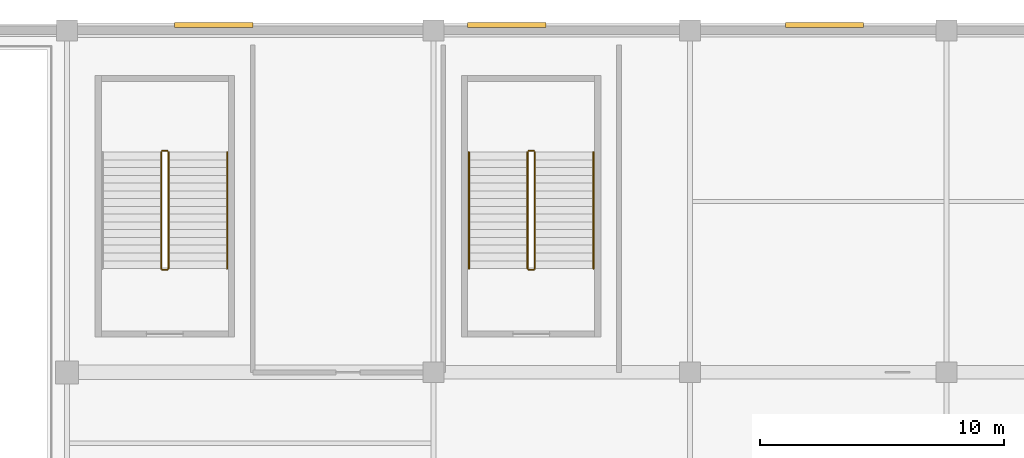
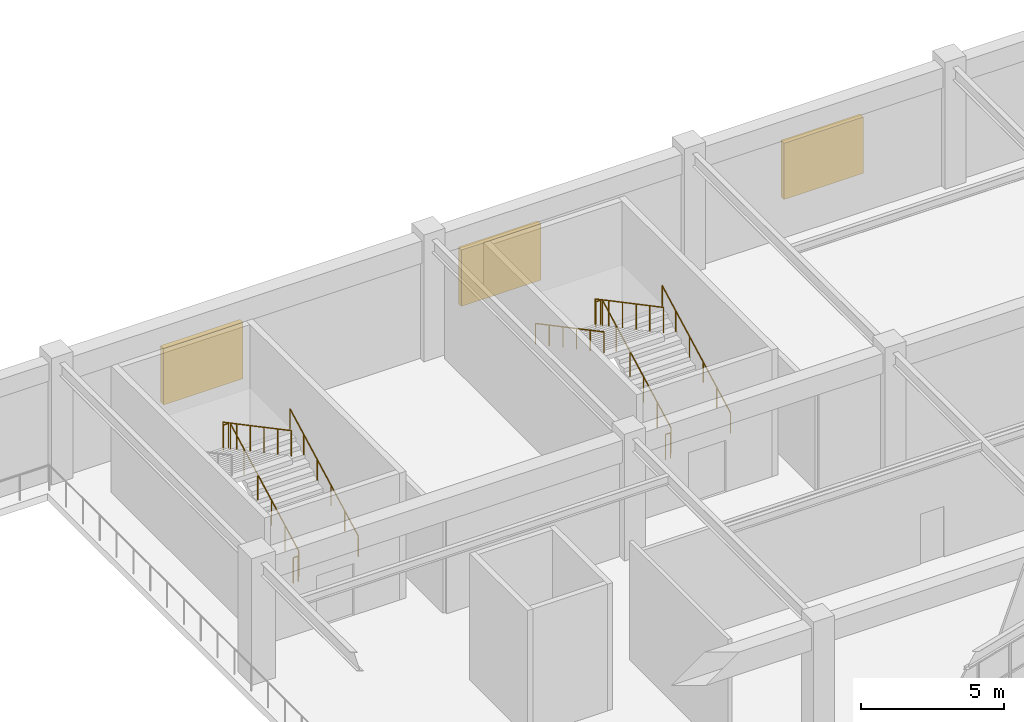
# One storey, part 118 of 120: 11 railings, 3 shading devices.
"""IFC4 building model written with IfcOpenShell, lengths in metres."""

from ifc_helpers import new_model, si_unit, direction, frame, origin, origin_2d, place, context, subcontext, project, spatial, rectangle, circle, extrude, material, type_object, element, save


model = new_model("IFC4")

# Units and contexts
model_context = context("Model", 3, precision=1e-05, world=origin(), true_north=direction((0.0, 1.0)))
body_context = subcontext(model_context, "Body", "Model", "MODEL_VIEW")
ifc_project = project(units=[si_unit("LENGTHUNIT", "METRE"), si_unit("AREAUNIT", "SQUARE_METRE"), si_unit("VOLUMEUNIT", "CUBIC_METRE"), si_unit("PLANEANGLEUNIT", "RADIAN"), si_unit("MASSUNIT", "GRAM", prefix="KILO")], contexts=[model_context])

# Site, building, storey
site_placement = place(None, origin())
site = spatial("IfcSite", under=ifc_project, at=site_placement, CompositionType="ELEMENT")
building_placement = place(site_placement, origin())
building = spatial("IfcBuilding", under=site, at=building_placement, Name="Cuetzalor Civic Arena", CompositionType="ELEMENT")
storey_placement = place(building_placement, frame((0.0, 0.0, 6.0)))
storey = spatial("IfcBuildingStorey", under=building, at=storey_placement, Name="L01", CompositionType="ELEMENT", Elevation=6.0)

# Shading devices
ifc_material_1 = material(Name="Charcoal acoustic anodised aluminium louvre", Category="aluminium")
shading_device_type = type_object("IfcShadingDeviceType", Name="AcousticPlantLouvre_Jalousie", PredefinedType="JALOUSIE", material=ifc_material_1)
for number, where, z_axis, x_axis, name in (
    (1, (-30.0, 75.719970703125, 1.400146484375), (0.0, 0.0, 1.0), (1.0, 0.0, 0.0), "Acoustic Plant Intake Louvre L01-01"),
    (2, (-18.0, 75.719970703125, 1.400146484375), (0.0, 0.0, 1.0), (1.0, 0.0, 0.0), "Acoustic Plant Intake Louvre L01-02"),
    (3, (-5.0, 75.719970703125, 1.400146484375), (0.0, 0.0, 1.0), (1.0, 0.0, 0.0), "Acoustic Plant Intake Louvre L01-03"),
):
    element("IfcShadingDevice", number, at=place(storey_placement, frame(where, z_axis=z_axis, x_axis=x_axis)), inside=storey, type_object=shading_device_type, Name=name, PredefinedType="JALOUSIE", context=body_context, shape_type="SweptSolid", body=[
        extrude(rectangle(XDim=3.199951171875, YDim=0.219970703125, at=origin_2d()), origin(), (0.0, 0.0, 1.0), 2.39990234375),
    ])

# Railings
ifc_material_2 = material(Name="Reseda-green architectural Steel S355 balustrade", Category="steel")
railing_type_1 = type_object("IfcRailingType", Name="InteriorVoidBalustrade_1100", PredefinedType="BALUSTRADE", material=ifc_material_2)
railing_1_placement = place(storey_placement, frame((-31.85009765625, 65.75, 0.168701171875)))
element("IfcRailing", 4, at=railing_1_placement, inside=storey, type_object=railing_type_1, Name="L01 ST-24 stair guard 1", PredefinedType="BALUSTRADE", context=body_context, shape_type="SweptSolid", body=[
    extrude(circle(Radius=0.02392578125, at=origin_2d()), frame((0.0, 0.0, 1.0810546875), z_axis=(0.0, 0.883332211103, 0.468747485143), x_axis=(-1.0, 0.0, 0.0)), (0.0, 0.0, 1.0), 5.400146484375),
    extrude(circle(Radius=0.02099609375, at=origin_2d()), origin(), (0.0, 0.0, 1.0), 1.056884765625),
    extrude(circle(Radius=0.02099609375, at=origin_2d()), frame((0.0, 0.9541015625, 0.50634765625)), (0.0, 0.0, 1.0), 1.056884765625),
    extrude(circle(Radius=0.02099609375, at=origin_2d()), frame((0.0, 1.907958984375, 1.012451171875)), (0.0, 0.0, 1.0), 1.056884765625),
    extrude(circle(Radius=0.02099609375, at=origin_2d()), frame((0.0, 2.862060546875, 1.518798828125)), (0.0, 0.0, 1.0), 1.056884765625),
    extrude(circle(Radius=0.02099609375, at=origin_2d()), frame((0.0, 3.81591796875, 2.02490234375)), (0.0, 0.0, 1.0), 1.056884765625),
    extrude(circle(Radius=0.02099609375, at=origin_2d()), frame((0.0, 4.77001953125, 2.53125)), (0.0, 0.0, 1.0), 1.056884765625),
])
railing_2_placement = place(storey_placement, frame((-31.89990234375, 70.570068359375, 2.699951171875)))
element("IfcRailing", 5, at=railing_2_placement, inside=storey, type_object=railing_type_1, Name="L01 ST-24 stair guard 2", PredefinedType="BALUSTRADE", context=body_context, shape_type="SweptSolid", body=[
    extrude(circle(Radius=0.02392578125, at=origin_2d()), frame((0.0, 0.0, 1.0810546875), z_axis=(-1.0, 0.0, 0.0), x_axis=(0.0, -1.0, 0.0)), (0.0, 0.0, 1.0), 0.2001953125),
    extrude(circle(Radius=0.02099609375, at=origin_2d()), origin(), (0.0, 0.0, 1.0), 1.056884765625),
    extrude(circle(Radius=0.02099609375, at=origin_2d()), frame((-0.2001953125, 0.0, 0.0)), (0.0, 0.0, 1.0), 1.056884765625),
])
railing_3_placement = place(storey_placement, frame((-32.14990234375, 70.52001953125, 2.86865234375)))
element("IfcRailing", 6, at=railing_3_placement, inside=storey, type_object=railing_type_1, Name="L01 ST-24 stair guard 3", PredefinedType="BALUSTRADE", context=body_context, shape_type="SweptSolid", body=[
    extrude(circle(Radius=0.02392578125, at=origin_2d()), frame((0.0, 0.0, 1.0810546875), z_axis=(0.0, -0.883332211103, 0.468747485143), x_axis=(1.0, 0.0, 0.0)), (0.0, 0.0, 1.0), 5.400146484375),
    extrude(circle(Radius=0.02099609375, at=origin_2d()), origin(), (0.0, 0.0, 1.0), 1.056884765625),
    extrude(circle(Radius=0.02099609375, at=origin_2d()), frame((0.0, -0.9541015625, 0.50634765625)), (0.0, 0.0, 1.0), 1.056884765625),
    extrude(circle(Radius=0.02099609375, at=origin_2d()), frame((0.0, -1.907958984375, 1.012451171875)), (0.0, 0.0, 1.0), 1.056884765625),
    extrude(circle(Radius=0.02099609375, at=origin_2d()), frame((0.0, -2.862060546875, 1.518798828125)), (0.0, 0.0, 1.0), 1.056884765625),
    extrude(circle(Radius=0.02099609375, at=origin_2d()), frame((0.0, -3.81591796875, 2.02490234375)), (0.0, 0.0, 1.0), 1.056884765625),
    extrude(circle(Radius=0.02099609375, at=origin_2d()), frame((0.0, -4.77001953125, 2.53125)), (0.0, 0.0, 1.0), 1.056884765625),
])
railing_4_placement = place(storey_placement, frame((-31.89990234375, 65.699951171875, 0.0)))
element("IfcRailing", 7, at=railing_4_placement, inside=storey, type_object=railing_type_1, Name="L01 ST-24 stair guard 4", PredefinedType="BALUSTRADE", context=body_context, shape_type="SweptSolid", body=[
    extrude(circle(Radius=0.02392578125, at=origin_2d()), frame((0.0, 0.0, 1.0810546875), z_axis=(-1.0, 0.0, 0.0), x_axis=(0.0, -1.0, 0.0)), (0.0, 0.0, 1.0), 0.2001953125),
    extrude(circle(Radius=0.02099609375, at=origin_2d()), origin(), (0.0, 0.0, 1.0), 1.056884765625),
    extrude(circle(Radius=0.02099609375, at=origin_2d()), frame((-0.2001953125, 0.0, 0.0)), (0.0, 0.0, 1.0), 1.056884765625),
])
railing_5_placement = place(storey_placement, frame((-16.85009765625, 65.75, 0.168701171875)))
element("IfcRailing", 8, at=railing_5_placement, inside=storey, type_object=railing_type_1, Name="L01 ST-25 stair guard 1", PredefinedType="BALUSTRADE", context=body_context, shape_type="SweptSolid", body=[
    extrude(circle(Radius=0.02392578125, at=origin_2d()), frame((0.0, 0.0, 1.0810546875), z_axis=(0.0, 0.883332211103, 0.468747485143), x_axis=(-1.0, 0.0, 0.0)), (0.0, 0.0, 1.0), 5.400146484375),
    extrude(circle(Radius=0.02099609375, at=origin_2d()), origin(), (0.0, 0.0, 1.0), 1.056884765625),
    extrude(circle(Radius=0.02099609375, at=origin_2d()), frame((0.0, 0.9541015625, 0.50634765625)), (0.0, 0.0, 1.0), 1.056884765625),
    extrude(circle(Radius=0.02099609375, at=origin_2d()), frame((0.0, 1.907958984375, 1.012451171875)), (0.0, 0.0, 1.0), 1.056884765625),
    extrude(circle(Radius=0.02099609375, at=origin_2d()), frame((0.0, 2.862060546875, 1.518798828125)), (0.0, 0.0, 1.0), 1.056884765625),
    extrude(circle(Radius=0.02099609375, at=origin_2d()), frame((0.0, 3.81591796875, 2.02490234375)), (0.0, 0.0, 1.0), 1.056884765625),
    extrude(circle(Radius=0.02099609375, at=origin_2d()), frame((0.0, 4.77001953125, 2.53125)), (0.0, 0.0, 1.0), 1.056884765625),
])
railing_6_placement = place(storey_placement, frame((-16.89990234375, 70.570068359375, 2.699951171875)))
element("IfcRailing", 9, at=railing_6_placement, inside=storey, type_object=railing_type_1, Name="L01 ST-25 stair guard 2", PredefinedType="BALUSTRADE", context=body_context, shape_type="SweptSolid", body=[
    extrude(circle(Radius=0.02392578125, at=origin_2d()), frame((0.0, 0.0, 1.0810546875), z_axis=(-1.0, 0.0, 0.0), x_axis=(0.0, -1.0, 0.0)), (0.0, 0.0, 1.0), 0.2001953125),
    extrude(circle(Radius=0.02099609375, at=origin_2d()), origin(), (0.0, 0.0, 1.0), 1.056884765625),
    extrude(circle(Radius=0.02099609375, at=origin_2d()), frame((-0.2001953125, 0.0, 0.0)), (0.0, 0.0, 1.0), 1.056884765625),
])
railing_7_placement = place(storey_placement, frame((-17.14990234375, 70.52001953125, 2.86865234375)))
element("IfcRailing", 10, at=railing_7_placement, inside=storey, type_object=railing_type_1, Name="L01 ST-25 stair guard 3", PredefinedType="BALUSTRADE", context=body_context, shape_type="SweptSolid", body=[
    extrude(circle(Radius=0.02392578125, at=origin_2d()), frame((0.0, 0.0, 1.0810546875), z_axis=(0.0, -0.883332211103, 0.468747485143), x_axis=(1.0, 0.0, 0.0)), (0.0, 0.0, 1.0), 5.400146484375),
    extrude(circle(Radius=0.02099609375, at=origin_2d()), origin(), (0.0, 0.0, 1.0), 1.056884765625),
    extrude(circle(Radius=0.02099609375, at=origin_2d()), frame((0.0, -0.9541015625, 0.50634765625)), (0.0, 0.0, 1.0), 1.056884765625),
    extrude(circle(Radius=0.02099609375, at=origin_2d()), frame((0.0, -1.907958984375, 1.012451171875)), (0.0, 0.0, 1.0), 1.056884765625),
    extrude(circle(Radius=0.02099609375, at=origin_2d()), frame((0.0, -2.862060546875, 1.518798828125)), (0.0, 0.0, 1.0), 1.056884765625),
    extrude(circle(Radius=0.02099609375, at=origin_2d()), frame((0.0, -3.81591796875, 2.02490234375)), (0.0, 0.0, 1.0), 1.056884765625),
    extrude(circle(Radius=0.02099609375, at=origin_2d()), frame((0.0, -4.77001953125, 2.53125)), (0.0, 0.0, 1.0), 1.056884765625),
])
railing_8_placement = place(storey_placement, frame((-16.89990234375, 65.699951171875, 0.0)))
element("IfcRailing", 11, at=railing_8_placement, inside=storey, type_object=railing_type_1, Name="L01 ST-25 stair guard 4", PredefinedType="BALUSTRADE", context=body_context, shape_type="SweptSolid", body=[
    extrude(circle(Radius=0.02392578125, at=origin_2d()), frame((0.0, 0.0, 1.0810546875), z_axis=(-1.0, 0.0, 0.0), x_axis=(0.0, -1.0, 0.0)), (0.0, 0.0, 1.0), 0.2001953125),
    extrude(circle(Radius=0.02099609375, at=origin_2d()), origin(), (0.0, 0.0, 1.0), 1.056884765625),
    extrude(circle(Radius=0.02099609375, at=origin_2d()), frame((-0.2001953125, 0.0, 0.0)), (0.0, 0.0, 1.0), 1.056884765625),
])
ifc_material_3 = material(Name="Galvanised steel S355", Category="steel")
railing_type_2 = type_object("IfcRailingType", Name="StairPitchHandrail_900", PredefinedType="HANDRAIL", material=ifc_material_3)
for number, where, name in (
    (12, (-29.449951171875, 65.75, 0.168701171875), "L01 ST-24 stair handrail 1"),
    (13, (-14.449951171875, 65.75, 0.168701171875), "L01 ST-25 stair handrail 1"),
):
    element("IfcRailing", number, at=place(storey_placement, frame(where)), inside=storey, type_object=railing_type_2, Name=name, PredefinedType="HANDRAIL", context=body_context, shape_type="SweptSolid", body=[
        extrude(circle(Radius=0.02392578125, at=origin_2d()), frame((0.0, 0.0, 0.8759765625), z_axis=(0.0, 0.883332211103, 0.468747485143), x_axis=(-1.0, 0.0, 0.0)), (0.0, 0.0, 1.0), 5.400146484375),
        extrude(circle(Radius=0.02099609375, at=origin_2d()), origin(), (0.0, 0.0, 1.0), 0.851806640625),
        extrude(circle(Radius=0.02099609375, at=origin_2d()), frame((0.0, 0.9541015625, 0.50634765625)), (0.0, 0.0, 1.0), 0.851806640625),
        extrude(circle(Radius=0.02099609375, at=origin_2d()), frame((0.0, 1.907958984375, 1.012451171875)), (0.0, 0.0, 1.0), 0.851806640625),
        extrude(circle(Radius=0.02099609375, at=origin_2d()), frame((0.0, 2.862060546875, 1.518798828125)), (0.0, 0.0, 1.0), 0.851806640625),
        extrude(circle(Radius=0.02099609375, at=origin_2d()), frame((0.0, 3.81591796875, 2.02490234375)), (0.0, 0.0, 1.0), 0.851806640625),
        extrude(circle(Radius=0.02099609375, at=origin_2d()), frame((0.0, 4.77001953125, 2.53125)), (0.0, 0.0, 1.0), 0.851806640625),
    ])
railing_9_placement = place(storey_placement, frame((-19.550048828125, 70.52001953125, 2.86865234375)))
element("IfcRailing", 14, at=railing_9_placement, inside=storey, type_object=railing_type_2, Name="L01 ST-25 stair handrail 2", PredefinedType="HANDRAIL", context=body_context, shape_type="SweptSolid", body=[
    extrude(circle(Radius=0.02392578125, at=origin_2d()), frame((0.0, 0.0, 0.8759765625), z_axis=(0.0, -0.883332211103, 0.468747485143), x_axis=(1.0, 0.0, 0.0)), (0.0, 0.0, 1.0), 5.400146484375),
    extrude(circle(Radius=0.02099609375, at=origin_2d()), origin(), (0.0, 0.0, 1.0), 0.851806640625),
    extrude(circle(Radius=0.02099609375, at=origin_2d()), frame((0.0, -0.9541015625, 0.50634765625)), (0.0, 0.0, 1.0), 0.851806640625),
    extrude(circle(Radius=0.02099609375, at=origin_2d()), frame((0.0, -1.907958984375, 1.012451171875)), (0.0, 0.0, 1.0), 0.851806640625),
    extrude(circle(Radius=0.02099609375, at=origin_2d()), frame((0.0, -2.862060546875, 1.518798828125)), (0.0, 0.0, 1.0), 0.851806640625),
    extrude(circle(Radius=0.02099609375, at=origin_2d()), frame((0.0, -3.81591796875, 2.02490234375)), (0.0, 0.0, 1.0), 0.851806640625),
    extrude(circle(Radius=0.02099609375, at=origin_2d()), frame((0.0, -4.77001953125, 2.53125)), (0.0, 0.0, 1.0), 0.851806640625),
])

save(model, "model.ifc")
